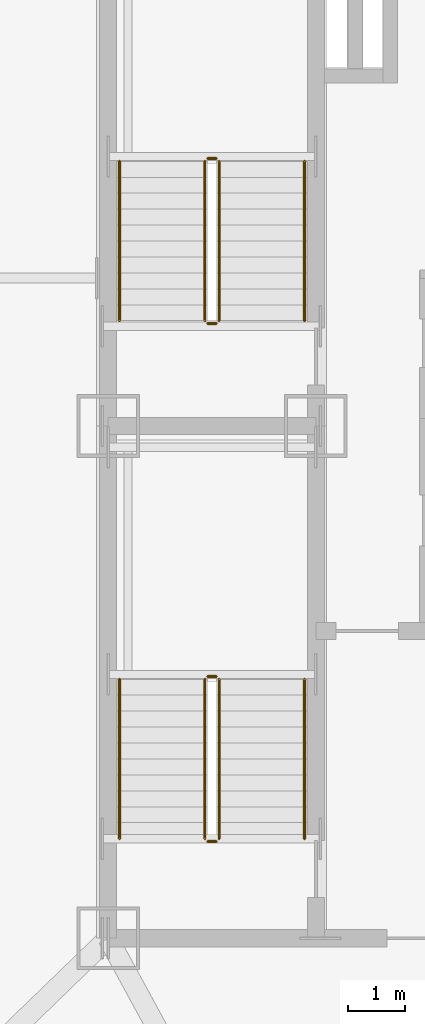
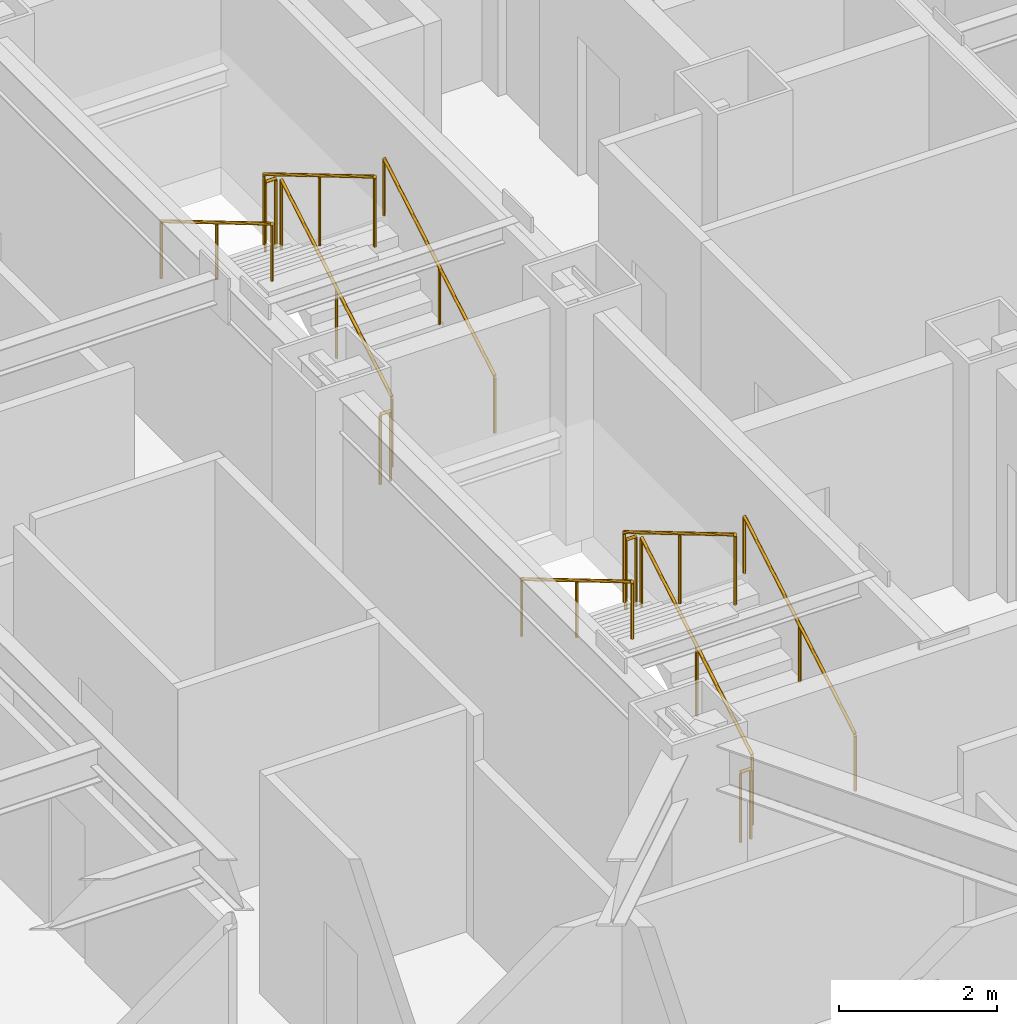
# One storey, part 11 of 11: 12 railings.
"""IFC4 building model written with IfcOpenShell, lengths in metres."""

from ifc_helpers import new_model, si_unit, direction, frame, origin, origin_2d, place, context, subcontext, project, spatial, circle, extrude, material, type_object, element, save


model = new_model("IFC4")

# Units and contexts
model_context = context("Model", 3, precision=1e-05, world=origin(), true_north=direction((0.0, 1.0)))
body_context = subcontext(model_context, "Body", "Model", "MODEL_VIEW")
ifc_project = project(units=[si_unit("LENGTHUNIT", "METRE"), si_unit("AREAUNIT", "SQUARE_METRE"), si_unit("VOLUMEUNIT", "CUBIC_METRE"), si_unit("PLANEANGLEUNIT", "RADIAN"), si_unit("MASSUNIT", "GRAM", prefix="KILO")], contexts=[model_context])

# Site, building, storey
site_placement = place(None, origin())
site = spatial("IfcSite", under=ifc_project, at=site_placement, CompositionType="ELEMENT")
building_placement = place(site_placement, origin())
building = spatial("IfcBuilding", under=site, at=building_placement, Name="Khamvora Tower", CompositionType="ELEMENT")
storey_placement = place(building_placement, frame((0.0, 0.0, 155.89990234375)))
storey = spatial("IfcBuildingStorey", under=building, at=storey_placement, Name="L39", CompositionType="ELEMENT", Elevation=155.89990234375)

# Railings
ifc_material_1 = material(Name="Brushed Stainless Steel 316", Category="steel")
railing_type_1 = type_object("IfcRailingType", Name="RAL-HDR-920", PredefinedType="HANDRAIL", material=ifc_material_1)
railing_1_placement = place(storey_placement, frame((32.449951171875, 20.75, 0.166015625)))
element("IfcRailing", 1, at=railing_1_placement, inside=storey, type_object=railing_type_1, Name="L39 ST-01 stair handrail 1", PredefinedType="HANDRAIL", context=body_context, shape_type="SweptSolid", body=[
    extrude(circle(Radius=0.02392578125, at=origin_2d()), frame((0.0, 0.0, 0.8759765625), z_axis=(0.0, 0.860306154799, 0.50977771628), x_axis=(-1.0, 0.0, 0.0)), (0.0, 0.0, 1.0), 3.254638671875),
    extrude(circle(Radius=0.02099609375, at=origin_2d()), origin(), (0.0, 0.0, 1.0), 0.851806640625),
    extrude(circle(Radius=0.02099609375, at=origin_2d()), frame((0.0, 1.39990234375, 0.82958984375)), (0.0, 0.0, 1.0), 0.851806640625),
    extrude(circle(Radius=0.02099609375, at=origin_2d()), frame((0.0, 2.800048828125, 1.6591796875)), (0.0, 0.0, 1.0), 0.851806640625),
])
railing_2_placement = place(storey_placement, frame((29.199951171875, 23.550048828125, 1.990966796875)))
element("IfcRailing", 2, at=railing_2_placement, inside=storey, type_object=railing_type_1, Name="L39 ST-01 stair handrail 2", PredefinedType="HANDRAIL", context=body_context, shape_type="SweptSolid", body=[
    extrude(circle(Radius=0.02392578125, at=origin_2d()), frame((0.0, 0.0, 0.8759765625), z_axis=(0.0, -0.860306154799, 0.50977771628), x_axis=(1.0, 0.0, 0.0)), (0.0, 0.0, 1.0), 3.254638671875),
    extrude(circle(Radius=0.02099609375, at=origin_2d()), origin(), (0.0, 0.0, 1.0), 0.851806640625),
    extrude(circle(Radius=0.02099609375, at=origin_2d()), frame((0.0, -1.39990234375, 0.82958984375)), (0.0, 0.0, 1.0), 0.851806640625),
    extrude(circle(Radius=0.02099609375, at=origin_2d()), frame((0.0, -2.800048828125, 1.6591796875)), (0.0, 0.0, 1.0), 0.851806640625),
])
railing_3_placement = place(storey_placement, frame((32.449951171875, 29.85009765625, 0.166015625)))
element("IfcRailing", 3, at=railing_3_placement, inside=storey, type_object=railing_type_1, Name="L39 ST-02 stair handrail 1", PredefinedType="HANDRAIL", context=body_context, shape_type="SweptSolid", body=[
    extrude(circle(Radius=0.02392578125, at=origin_2d()), frame((0.0, 0.0, 0.8759765625), z_axis=(0.0, 0.860286659441, 0.509810615413), x_axis=(-1.0, 0.0, 0.0)), (0.0, 0.0, 1.0), 3.25439453125),
    extrude(circle(Radius=0.02099609375, at=origin_2d()), origin(), (0.0, 0.0, 1.0), 0.851806640625),
    extrude(circle(Radius=0.02099609375, at=origin_2d()), frame((0.0, 1.39990234375, 0.82958984375)), (0.0, 0.0, 1.0), 0.851806640625),
    extrude(circle(Radius=0.02099609375, at=origin_2d()), frame((0.0, 2.7998046875, 1.6591796875)), (0.0, 0.0, 1.0), 0.851806640625),
])
railing_4_placement = place(storey_placement, frame((29.199951171875, 32.64990234375, 1.990966796875)))
element("IfcRailing", 4, at=railing_4_placement, inside=storey, type_object=railing_type_1, Name="L39 ST-02 stair handrail 2", PredefinedType="HANDRAIL", context=body_context, shape_type="SweptSolid", body=[
    extrude(circle(Radius=0.02392578125, at=origin_2d()), frame((0.0, 0.0, 0.8759765625), z_axis=(0.0, -0.860286659441, 0.509810615413), x_axis=(1.0, 0.0, 0.0)), (0.0, 0.0, 1.0), 3.25439453125),
    extrude(circle(Radius=0.02099609375, at=origin_2d()), origin(), (0.0, 0.0, 1.0), 0.851806640625),
    extrude(circle(Radius=0.02099609375, at=origin_2d()), frame((0.0, -1.39990234375, 0.82958984375)), (0.0, 0.0, 1.0), 0.851806640625),
    extrude(circle(Radius=0.02099609375, at=origin_2d()), frame((0.0, -2.7998046875, 1.6591796875)), (0.0, 0.0, 1.0), 0.851806640625),
])
ifc_material_2 = material(Name="Stainless Steel 316", Category="steel")
railing_type_2 = type_object("IfcRailingType", Name="RAL-STG-1100", PredefinedType="GUARDRAIL", material=ifc_material_2)
railing_5_placement = place(storey_placement, frame((30.949951171875, 20.75, 0.166015625)))
element("IfcRailing", 5, at=railing_5_placement, inside=storey, type_object=railing_type_2, Name="L39 ST-01 stair guard 1", PredefinedType="GUARDRAIL", context=body_context, shape_type="SweptSolid", body=[
    extrude(circle(Radius=0.02392578125, at=origin_2d()), frame((0.0, 0.0, 1.076171875), z_axis=(0.0, 0.860306154799, 0.50977771628), x_axis=(-1.0, 0.0, 0.0)), (0.0, 0.0, 1.0), 3.254638671875),
    extrude(circle(Radius=0.02099609375, at=origin_2d()), origin(), (0.0, 0.0, 1.0), 1.052001953125),
    extrude(circle(Radius=0.02099609375, at=origin_2d()), frame((0.0, 1.39990234375, 0.82958984375)), (0.0, 0.0, 1.0), 1.052001953125),
    extrude(circle(Radius=0.02099609375, at=origin_2d()), frame((0.0, 2.800048828125, 1.6591796875)), (0.0, 0.0, 1.0), 1.052001953125),
])
railing_6_placement = place(storey_placement, frame((30.89990234375, 23.60009765625, 1.8251953125)))
element("IfcRailing", 6, at=railing_6_placement, inside=storey, type_object=railing_type_2, Name="L39 ST-01 stair guard 2", PredefinedType="GUARDRAIL", context=body_context, shape_type="SweptSolid", body=[
    extrude(circle(Radius=0.02392578125, at=origin_2d()), frame((0.0, 0.0, 1.076171875), z_axis=(-1.0, 0.0, 0.0), x_axis=(0.0, -1.0, 0.0)), (0.0, 0.0, 1.0), 0.14990234375),
    extrude(circle(Radius=0.02099609375, at=origin_2d()), origin(), (0.0, 0.0, 1.0), 1.052001953125),
    extrude(circle(Radius=0.02099609375, at=origin_2d()), frame((-0.14990234375, 0.0, 0.0)), (0.0, 0.0, 1.0), 1.052001953125),
])
railing_7_placement = place(storey_placement, frame((30.699951171875, 23.550048828125, 1.990966796875)))
element("IfcRailing", 7, at=railing_7_placement, inside=storey, type_object=railing_type_2, Name="L39 ST-01 stair guard 3", PredefinedType="GUARDRAIL", context=body_context, shape_type="SweptSolid", body=[
    extrude(circle(Radius=0.02392578125, at=origin_2d()), frame((0.0, 0.0, 1.076171875), z_axis=(0.0, -0.860306154799, 0.50977771628), x_axis=(1.0, 0.0, 0.0)), (0.0, 0.0, 1.0), 3.254638671875),
    extrude(circle(Radius=0.02099609375, at=origin_2d()), origin(), (0.0, 0.0, 1.0), 1.052001953125),
    extrude(circle(Radius=0.02099609375, at=origin_2d()), frame((0.0, -1.39990234375, 0.82958984375)), (0.0, 0.0, 1.0), 1.052001953125),
    extrude(circle(Radius=0.02099609375, at=origin_2d()), frame((0.0, -2.800048828125, 1.6591796875)), (0.0, 0.0, 1.0), 1.052001953125),
])
railing_8_placement = place(storey_placement, frame((30.89990234375, 20.699951171875, 0.0)))
element("IfcRailing", 8, at=railing_8_placement, inside=storey, type_object=railing_type_2, Name="L39 ST-01 stair guard 4", PredefinedType="GUARDRAIL", context=body_context, shape_type="SweptSolid", body=[
    extrude(circle(Radius=0.02392578125, at=origin_2d()), frame((0.0, 0.0, 1.076171875), z_axis=(-1.0, 0.0, 0.0), x_axis=(0.0, -1.0, 0.0)), (0.0, 0.0, 1.0), 0.14990234375),
    extrude(circle(Radius=0.02099609375, at=origin_2d()), origin(), (0.0, 0.0, 1.0), 1.052001953125),
    extrude(circle(Radius=0.02099609375, at=origin_2d()), frame((-0.14990234375, 0.0, 0.0)), (0.0, 0.0, 1.0), 1.052001953125),
])
railing_9_placement = place(storey_placement, frame((30.949951171875, 29.85009765625, 0.166015625)))
element("IfcRailing", 9, at=railing_9_placement, inside=storey, type_object=railing_type_2, Name="L39 ST-02 stair guard 1", PredefinedType="GUARDRAIL", context=body_context, shape_type="SweptSolid", body=[
    extrude(circle(Radius=0.02392578125, at=origin_2d()), frame((0.0, 0.0, 1.076171875), z_axis=(0.0, 0.860286659441, 0.509810615413), x_axis=(-1.0, 0.0, 0.0)), (0.0, 0.0, 1.0), 3.25439453125),
    extrude(circle(Radius=0.02099609375, at=origin_2d()), origin(), (0.0, 0.0, 1.0), 1.052001953125),
    extrude(circle(Radius=0.02099609375, at=origin_2d()), frame((0.0, 1.39990234375, 0.82958984375)), (0.0, 0.0, 1.0), 1.052001953125),
    extrude(circle(Radius=0.02099609375, at=origin_2d()), frame((0.0, 2.7998046875, 1.6591796875)), (0.0, 0.0, 1.0), 1.052001953125),
])
railing_10_placement = place(storey_placement, frame((30.89990234375, 32.699951171875, 1.8251953125)))
element("IfcRailing", 10, at=railing_10_placement, inside=storey, type_object=railing_type_2, Name="L39 ST-02 stair guard 2", PredefinedType="GUARDRAIL", context=body_context, shape_type="SweptSolid", body=[
    extrude(circle(Radius=0.02392578125, at=origin_2d()), frame((0.0, 0.0, 1.076171875), z_axis=(-1.0, 0.0, 0.0), x_axis=(0.0, -1.0, 0.0)), (0.0, 0.0, 1.0), 0.14990234375),
    extrude(circle(Radius=0.02099609375, at=origin_2d()), origin(), (0.0, 0.0, 1.0), 1.052001953125),
    extrude(circle(Radius=0.02099609375, at=origin_2d()), frame((-0.14990234375, 0.0, 0.0)), (0.0, 0.0, 1.0), 1.052001953125),
])
railing_11_placement = place(storey_placement, frame((30.699951171875, 32.64990234375, 1.990966796875)))
element("IfcRailing", 11, at=railing_11_placement, inside=storey, type_object=railing_type_2, Name="L39 ST-02 stair guard 3", PredefinedType="GUARDRAIL", context=body_context, shape_type="SweptSolid", body=[
    extrude(circle(Radius=0.02392578125, at=origin_2d()), frame((0.0, 0.0, 1.076171875), z_axis=(0.0, -0.860286659441, 0.509810615413), x_axis=(1.0, 0.0, 0.0)), (0.0, 0.0, 1.0), 3.25439453125),
    extrude(circle(Radius=0.02099609375, at=origin_2d()), origin(), (0.0, 0.0, 1.0), 1.052001953125),
    extrude(circle(Radius=0.02099609375, at=origin_2d()), frame((0.0, -1.39990234375, 0.82958984375)), (0.0, 0.0, 1.0), 1.052001953125),
    extrude(circle(Radius=0.02099609375, at=origin_2d()), frame((0.0, -2.7998046875, 1.6591796875)), (0.0, 0.0, 1.0), 1.052001953125),
])
railing_12_placement = place(storey_placement, frame((30.89990234375, 29.800048828125, 0.0)))
element("IfcRailing", 12, at=railing_12_placement, inside=storey, type_object=railing_type_2, Name="L39 ST-02 stair guard 4", PredefinedType="GUARDRAIL", context=body_context, shape_type="SweptSolid", body=[
    extrude(circle(Radius=0.02392578125, at=origin_2d()), frame((0.0, 0.0, 1.076171875), z_axis=(-1.0, 0.0, 0.0), x_axis=(0.0, -1.0, 0.0)), (0.0, 0.0, 1.0), 0.14990234375),
    extrude(circle(Radius=0.02099609375, at=origin_2d()), origin(), (0.0, 0.0, 1.0), 1.052001953125),
    extrude(circle(Radius=0.02099609375, at=origin_2d()), frame((-0.14990234375, 0.0, 0.0)), (0.0, 0.0, 1.0), 1.052001953125),
])

save(model, "model.ifc")
